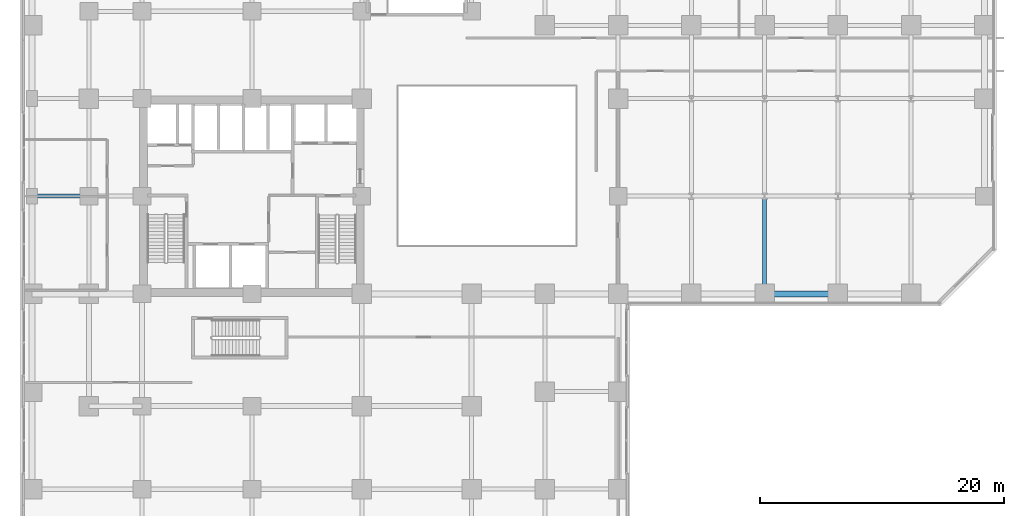
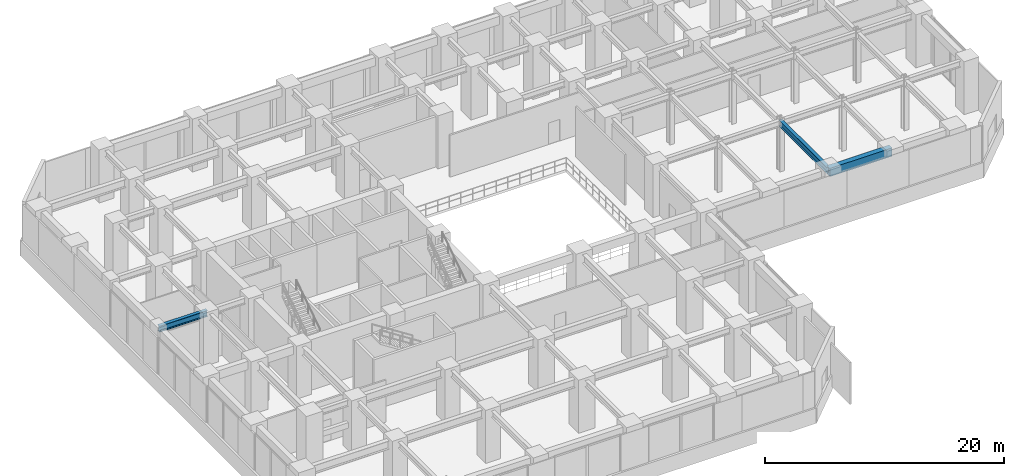
# One storey, part 14 of 33: 3 beams.
"""IFC4 building model written with IfcOpenShell, lengths in metres."""

import ifcopenshell
import ifcopenshell.guid

model = None  # the IFC model being written
_history = None  # IfcOwnerHistory: only IFC2X3 demands one
_inside = {}  # id of a spatial element -> (the spatial element, [elements in it])
_under = {}  # id of a project, library or spatial element -> (it, [spatial elements below it])
_declared = {}  # id of a project -> (the project, [libraries it declares])
_typed = {}  # id of a type object -> (the type object, [elements of that type])
_made_of = {}  # id of a material, layer set ... -> (it, [elements and type objects made of it])


def new_model(schema):
    """Start an empty IFC model of exactly this schema.

    Asked for "IFC4X3", IfcOpenShell would pick the latest addendum, in which some entities
    have other attributes; the version numbers below select the first issue.
    IFC2X3 requires an IfcOwnerHistory on every rooted entity: one is made here for all.
    """
    global model, _history
    if schema == "IFC4X3":
        model = ifcopenshell.file(schema_version=(4, 3, 0, 0))
    else:
        model = ifcopenshell.file(schema=schema)
    _inside.clear()
    _under.clear()
    _declared.clear()
    _typed.clear()
    _made_of.clear()
    _history = None
    if model.schema == "IFC2X3":
        org = make("IfcOrganization", Name="unknown")
        user = make(
            "IfcPersonAndOrganization",
            ThePerson=make("IfcPerson", FamilyName="unknown"),
            TheOrganization=org,
        )
        app = make(
            "IfcApplication",
            ApplicationDeveloper=org,
            Version="unknown",
            ApplicationFullName="unknown",
            ApplicationIdentifier="unknown",
        )
        _history = make(
            "IfcOwnerHistory",
            OwningUser=user,
            OwningApplication=app,
            ChangeAction="ADDED",
            CreationDate=0,
        )
    return model


def make(cls, **values):
    """One entity of the class cls with the attributes given. An attribute that is None is left unset."""
    return model.create_entity(
        cls, **{name: value for name, value in values.items() if value is not None}
    )


def rooted(cls, **values):
    """An entity with a GlobalId (a new one), such as an element, a storey or a relation."""
    return make(cls, GlobalId=ifcopenshell.guid.new(), OwnerHistory=_history, **values)


def si_unit(unit_type, name, prefix=None):
    """IfcSIUnit, for example si_unit("LENGTHUNIT", "METRE", prefix="MILLI")."""
    return make("IfcSIUnit", UnitType=unit_type, Prefix=prefix, Name=name)


def assignment(units):
    """IfcUnitAssignment: the units of a project."""
    return None if units is None else make("IfcUnitAssignment", Units=units)


def point(xyz):
    """IfcCartesianPoint."""
    return None if xyz is None else make("IfcCartesianPoint", Coordinates=xyz)


def direction(xyz):
    """IfcDirection."""
    return None if xyz is None else make("IfcDirection", DirectionRatios=xyz)


def frame(location, z_axis=None, x_axis=None):
    """IfcAxis2Placement3D, a coordinate frame: its origin and axes. An axis left out is left unset."""
    return make(
        "IfcAxis2Placement3D",
        Location=point(location),
        Axis=direction(z_axis),
        RefDirection=direction(x_axis),
    )


def frame_2d(location, x_axis=None):
    """IfcAxis2Placement2D, a coordinate frame in the plane: its origin and x axis."""
    return make(
        "IfcAxis2Placement2D", Location=point(location), RefDirection=direction(x_axis)
    )


def origin():
    """The frame at (0, 0, 0) with its axes left unset."""
    return frame((0.0, 0.0, 0.0))


def origin_2d():
    """The frame at (0, 0) in the plane with its x axis left unset."""
    return frame_2d((0.0, 0.0))


def place(relative_to, where):
    """IfcLocalPlacement: puts the frame where relative to a parent placement (None: the world)."""
    return make(
        "IfcLocalPlacement", PlacementRelTo=relative_to, RelativePlacement=where
    )


def context(
    kind, dimensions, precision=None, world=None, true_north=None, identifier=None
):
    """IfcGeometricRepresentationContext, for example the 3D "Model" context."""
    return make(
        "IfcGeometricRepresentationContext",
        ContextIdentifier=identifier,
        ContextType=kind,
        CoordinateSpaceDimension=dimensions,
        Precision=precision,
        WorldCoordinateSystem=world,
        TrueNorth=true_north,
    )


def subcontext(parent, identifier, kind, view, scale=None):
    """IfcGeometricRepresentationSubContext, for example "Body" below "Model"."""
    return make(
        "IfcGeometricRepresentationSubContext",
        ContextIdentifier=identifier,
        ContextType=kind,
        ParentContext=parent,
        TargetScale=scale,
        TargetView=view,
    )


def project(units=None, contexts=None):
    """IfcProject with its units and contexts."""
    return rooted(
        "IfcProject",
        Name="project",
        RepresentationContexts=contexts,
        UnitsInContext=assignment(units),
    )


def spatial(cls, under=None, at=None, **own):
    """A site, building, storey or space (cls), placed at a placement, below another one or the project."""
    s = rooted(cls, ObjectPlacement=at, **own)
    if under is not None:
        _under.setdefault(under.id(), (under, []))[1].append(s)
    return s


def profile(cls, at=None, kind="AREA", **sizes):
    """A parametric profile (cls). Its sizes go by their IFC names, for example OverallWidth=200.0."""
    return make(cls, ProfileType=kind, Position=at, **sizes)


def rectangle(**sizes):
    """IfcRectangleProfileDef."""
    return profile("IfcRectangleProfileDef", **sizes)


def i_section(**sizes):
    """IfcIShapeProfileDef."""
    return profile("IfcIShapeProfileDef", **sizes)


def extrude(swept, where, along, depth):
    """IfcExtrudedAreaSolid: the profile swept, set in the frame where, extruded along a direction by depth."""
    return make(
        "IfcExtrudedAreaSolid",
        SweptArea=swept,
        Position=where,
        ExtrudedDirection=direction(along),
        Depth=depth,
    )


def shape(context_of_items, identifier, shape_type, items):
    """IfcShapeRepresentation: the items that make up one representation, for example the "Body"."""
    return make(
        "IfcShapeRepresentation",
        ContextOfItems=context_of_items,
        RepresentationIdentifier=identifier,
        RepresentationType=shape_type,
        Items=items,
    )


def source(mapping_origin, context_of_items, identifier, shape_type, items):
    """IfcRepresentationMap: a shape defined once, which mapped items show again and again."""
    return make(
        "IfcRepresentationMap",
        MappingOrigin=mapping_origin,
        MappedRepresentation=shape(context_of_items, identifier, shape_type, items),
    )


def transform(
    local_origin,
    x_axis=None,
    y_axis=None,
    z_axis=None,
    scale=None,
    scale2=None,
    scale3=None,
    uniform=True,
):
    """IfcCartesianTransformationOperator3D, or its non-uniform kind. x_axis, y_axis, z_axis: its Axis1, 2, 3."""
    if uniform:
        return make(
            "IfcCartesianTransformationOperator3D",
            Axis1=direction(x_axis),
            Axis2=direction(y_axis),
            LocalOrigin=point(local_origin),
            Scale=scale,
            Axis3=direction(z_axis),
        )
    return make(
        "IfcCartesianTransformationOperator3DnonUniform",
        Axis1=direction(x_axis),
        Axis2=direction(y_axis),
        LocalOrigin=point(local_origin),
        Scale=scale,
        Axis3=direction(z_axis),
        Scale2=scale2,
        Scale3=scale3,
    )


def mapped(mapping_source, mapping_target):
    """IfcMappedItem: shows the shape of a source again, moved by a transform."""
    return make(
        "IfcMappedItem", MappingSource=mapping_source, MappingTarget=mapping_target
    )


def material(Name=None, Category=None):
    """IfcMaterial."""
    return make("IfcMaterial", Name=Name, Category=Category)


def material_profile(
    of_material, cross_section, Name=None, Category=None, Priority=None
):
    """IfcMaterialProfile: a cross section and its material."""
    return make(
        "IfcMaterialProfile",
        Name=Name,
        Material=of_material,
        Profile=cross_section,
        Priority=Priority,
        Category=Category,
    )


def profile_set(profiles, Name=None, composite=None):
    """IfcMaterialProfileSet."""
    return make(
        "IfcMaterialProfileSet",
        Name=Name,
        MaterialProfiles=profiles,
        CompositeProfile=composite,
    )


def made_of(thing, what):
    """Note that an element or type object is made of a material, layer set ...; save() writes the relation."""
    if what is not None:
        _made_of.setdefault(what.id(), (what, []))[1].append(thing)
    return thing


def type_object(cls, material=None, **own):
    """A type object (cls), such as IfcWallType, which elements share."""
    return made_of(rooted(cls, **own), material)


def element(
    cls,
    number,
    at=None,
    inside=None,
    cuts=None,
    type_object=None,
    material=None,
    context=None,
    identifier="Body",
    shape_type=None,
    held_by="IfcProductDefinitionShape",
    body=None,
    shapes=None,
    **own,
):
    """One element of the class cls, such as IfcWall. Its Tag is "e" and its number.

    at: its placement. inside: the storey or other place that contains it. cuts: it is an
    opening in that element (IfcRelVoidsElement). A single representation is given by context,
    identifier, shape_type and body (its items); several are given by shapes. held_by: the class
    of the entity that holds the representations. save() writes the other relations.
    """
    e = rooted(cls, Tag="e%d" % number, ObjectPlacement=at, **own)
    if body is not None:
        shapes = [shape(context, identifier, shape_type, body)]
    if shapes is not None:
        e.Representation = make(held_by, Representations=shapes)
    if inside is not None:
        _inside.setdefault(inside.id(), (inside, []))[1].append(e)
    if cuts is not None:
        rooted(
            "IfcRelVoidsElement", RelatingBuildingElement=cuts, RelatedOpeningElement=e
        )
    if type_object is not None:
        _typed.setdefault(type_object.id(), (type_object, []))[1].append(e)
    return made_of(e, material)


def aggregate(whole, parts):
    """IfcRelAggregates: a whole, such as a stair, and the parts it consists of."""
    return rooted("IfcRelAggregates", RelatingObject=whole, RelatedObjects=parts)


def save(model, path):
    """Write the relations noted so far, then the file.

    IfcRelAggregates (storeys below a building ...), IfcRelContainedInSpatialStructure (elements
    in a storey), IfcRelDefinesByType, IfcRelAssociatesMaterial and IfcRelDeclares: one each for
    every whole, place, type object, material and project.
    """
    for whole, parts in _under.values():
        aggregate(whole, parts)
    for where, things in _inside.values():
        rooted(
            "IfcRelContainedInSpatialStructure",
            RelatedElements=things,
            RelatingStructure=where,
        )
    for kind, things in _typed.values():
        rooted("IfcRelDefinesByType", RelatedObjects=things, RelatingType=kind)
    for what, things in _made_of.values():
        rooted("IfcRelAssociatesMaterial", RelatedObjects=things, RelatingMaterial=what)
    for by, libraries in _declared.values():
        rooted("IfcRelDeclares", RelatingContext=by, RelatedDefinitions=libraries)
    model.write(path)


model = new_model("IFC4")

# Units and contexts
model_context = context("Model", 3, precision=1e-05, world=origin(), true_north=direction((0.0, 1.0)))
body_context = subcontext(model_context, "Body", "Model", "MODEL_VIEW")
ifc_project = project(units=[si_unit("LENGTHUNIT", "METRE"), si_unit("AREAUNIT", "SQUARE_METRE"), si_unit("VOLUMEUNIT", "CUBIC_METRE"), si_unit("PLANEANGLEUNIT", "RADIAN"), si_unit("MASSUNIT", "GRAM", prefix="KILO")], contexts=[model_context])

# Site, building, storey
site_placement = place(None, origin())
site = spatial("IfcSite", under=ifc_project, at=site_placement, CompositionType="ELEMENT")
building_placement = place(site_placement, origin())
building = spatial("IfcBuilding", under=site, at=building_placement, Name="Torre Montelarca", CompositionType="ELEMENT")
storey_placement = place(building_placement, frame((0.0, 0.0, 12.0)))
storey = spatial("IfcBuildingStorey", under=building, at=storey_placement, Name="L03", CompositionType="ELEMENT", Elevation=12.0)

# Beams
ifc_material_1 = material(Name="Concrete C55/67", Category="concrete")
ifc_material_profile_1 = material_profile(ifc_material_1, rectangle(XDim=0.5, YDim=0.85009765625, at=origin_2d()), Name="RCB500X850", Category="concrete")
ifc_profile_set_1 = profile_set([ifc_material_profile_1], Name="Concrete C55/67")
beam_type_1 = type_object("IfcBeamType", Name="BM-SP-RC850-EXT", PredefinedType="SPANDREL", material=ifc_profile_set_1)
shared_shape_1 = source(origin(), body_context, "Body", "SweptSolid", [
    extrude(rectangle(XDim=0.5, YDim=0.85009765625, at=origin_2d()), origin(), (0.0, 0.0, 1.0), 6.0),
])
beam_1_placement = place(storey_placement, frame((60.0, 24.0, 4.715087890625), z_axis=(1.0, 0.0, 0.0), x_axis=(0.0, 1.0, 0.0)))
element("IfcBeam", 1, at=beam_1_placement, inside=storey, type_object=beam_type_1, Name="L03 Grid Girder X 60.0-66.0 at Y=24.0", PredefinedType="SPANDREL", context=body_context, shape_type="MappedRepresentation", body=[
    mapped(shared_shape_1, transform((0.0, 0.0, 0.0), scale=1.0)),
])
ifc_material_2 = material(Name="Steel ASTM A992 Grade 50", Category="steel")
ifc_material_profile_2 = material_profile(ifc_material_2, i_section(OverallWidth=0.326904296875, OverallDepth=0.6220703125, WebThickness=0.015380859375, FlangeThickness=0.0244140625, FilletRadius=0.014892578125, at=origin_2d()), Name="W610X195", Category="steel")
ifc_profile_set_2 = profile_set([ifc_material_profile_2], Name="Steel ASTM A992 Grade 50")
beam_type_2 = type_object("IfcBeamType", Name="BM-G-W610H", PredefinedType="BEAM", material=ifc_profile_set_2)
shared_shape_2 = source(origin(), body_context, "Body", "SweptSolid", [
    extrude(i_section(OverallWidth=0.326904296875, OverallDepth=0.6220703125, WebThickness=0.015380859375, FlangeThickness=0.0244140625, FilletRadius=0.014892578125, at=origin_2d()), origin(), (0.0, 0.0, 1.0), 4.64990234375),
])
beam_2_placement = place(storey_placement, frame((0.0, 32.0, 4.8291015625), z_axis=(1.0, 0.0, 0.0), x_axis=(0.0, 1.0, 0.0)))
element("IfcBeam", 2, at=beam_2_placement, inside=storey, type_object=beam_type_2, Name="L03 Grid Girder X 0.0-4.7 at Y=32.0", PredefinedType="BEAM", context=body_context, shape_type="MappedRepresentation", body=[
    mapped(shared_shape_2, transform((0.0, 0.0, 0.0), scale=1.0)),
])
shared_shape_3 = source(origin(), body_context, "Body", "SweptSolid", [
    extrude(i_section(OverallWidth=0.326904296875, OverallDepth=0.6220703125, WebThickness=0.015380859375, FlangeThickness=0.0244140625, FilletRadius=0.014892578125, at=origin_2d()), origin(), (0.0, 0.0, 1.0), 8.0),
])
beam_3_placement = place(storey_placement, frame((60.0, 24.0, 4.8291015625), z_axis=(0.0, 1.0, 0.0), x_axis=(-1.0, 0.0, 0.0)))
element("IfcBeam", 3, at=beam_3_placement, inside=storey, type_object=beam_type_2, Name="L03 Grid Girder Y 24.0-32.0 at X=60.0", PredefinedType="BEAM", context=body_context, shape_type="MappedRepresentation", body=[
    mapped(shared_shape_3, transform((0.0, 0.0, 0.0), scale=1.0)),
])

save(model, "model.ifc")
